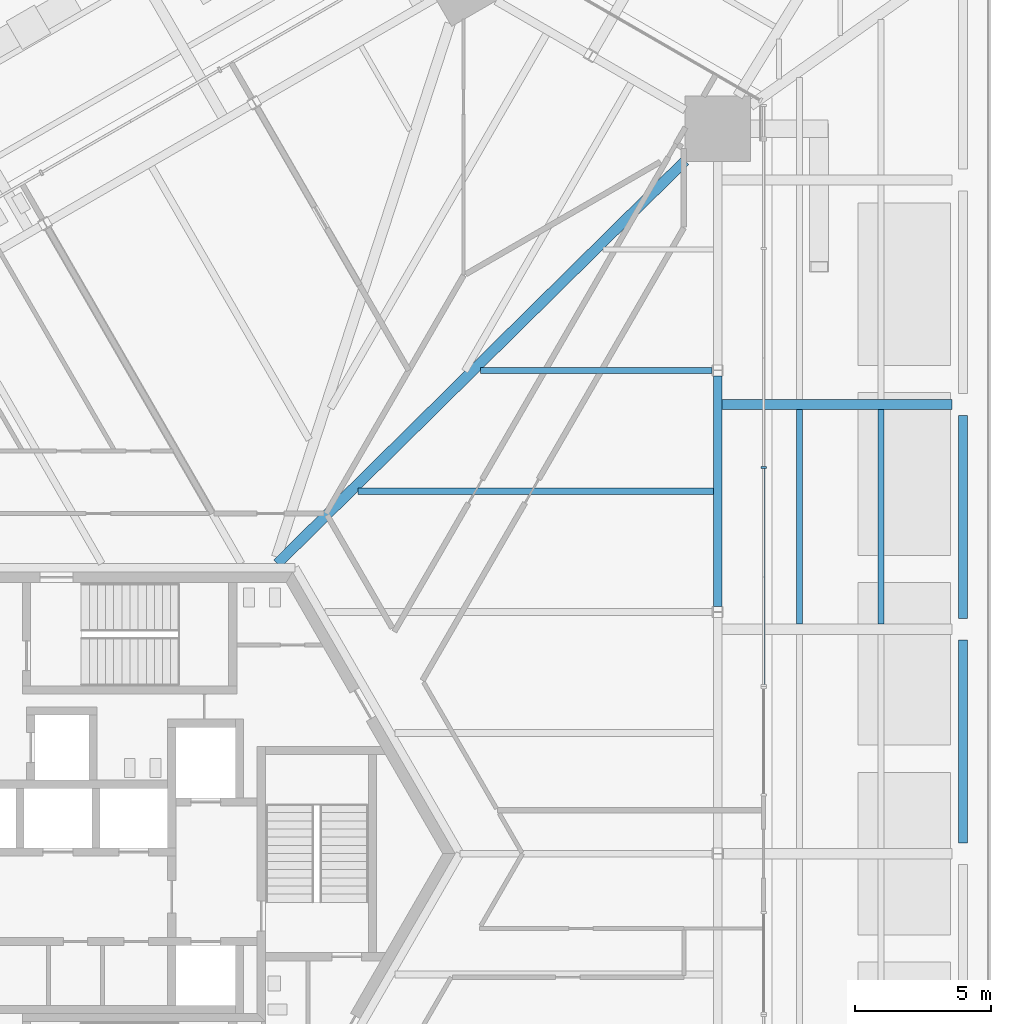
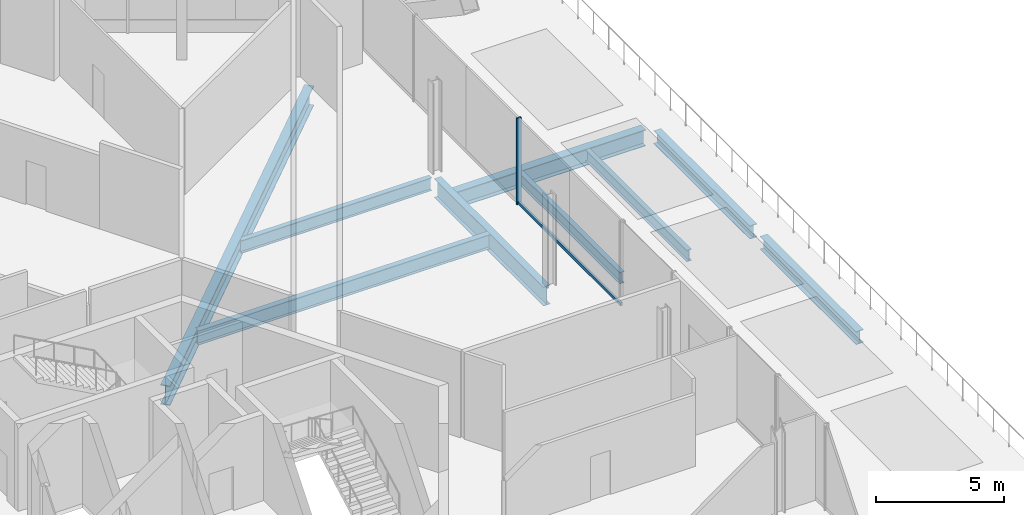
# One storey, part 12 of 38: 9 beams, 2 members, 1 element without a shape of its own.
"""IFC4 building model written with IfcOpenShell, lengths in metres."""

from ifc_helpers import new_model, si_unit, direction, frame, origin, origin_2d, place, context, subcontext, project, spatial, rectangle, i_section, extrude, source, transform, mapped, material, material_profile, profile_set, type_object, element, aggregate, save


model = new_model("IFC4")

# Units and contexts
model_context = context("Model", 3, precision=1e-05, world=origin(), true_north=direction((0.0, 1.0)))
body_context = subcontext(model_context, "Body", "Model", "MODEL_VIEW")
ifc_project = project(units=[si_unit("LENGTHUNIT", "METRE"), si_unit("AREAUNIT", "SQUARE_METRE"), si_unit("VOLUMEUNIT", "CUBIC_METRE"), si_unit("PLANEANGLEUNIT", "RADIAN"), si_unit("MASSUNIT", "GRAM", prefix="KILO")], contexts=[model_context])

# Site, building, storey
site_placement = place(None, origin())
site = spatial("IfcSite", under=ifc_project, at=site_placement, CompositionType="ELEMENT")
building_placement = place(site_placement, origin())
building = spatial("IfcBuilding", under=site, at=building_placement, Name="Triune Harvest Tower", CompositionType="ELEMENT")
storey_placement = place(building_placement, frame((0.0, 0.0, 16.0)))
storey = spatial("IfcBuildingStorey", under=building, at=storey_placement, Name="L03", CompositionType="ELEMENT", Elevation=16.0)

# Curtain wall, member
ifc_material_1 = material(Name="Aluminium bronze anodised", Category="aluminium")
curtain_wall_type = type_object("IfcCurtainWallType", Name="CW-10 Balcony window wall with insulated spandrel infill", PredefinedType="NOTDEFINED", material=ifc_material_1)
curtain_wall_placement = place(storey_placement, origin())
curtain_wall = element("IfcCurtainWall", 1, at=curtain_wall_placement, inside=storey, type_object=curtain_wall_type, Name="CW-10 B1-F1 L03 run 1002")
ifc_material_2 = material(Name="Aluminium bronze anodised", Category="aluminium")
ifc_material_profile_1 = material_profile(ifc_material_2, rectangle(XDim=0.090087890625, YDim=0.14990234375, at=origin_2d()), Name="TR-6 transom 90 x 150")
ifc_profile_set_1 = profile_set([ifc_material_profile_1], Name="Aluminium bronze anodised")
member_type_1 = type_object("IfcMemberType", Name="TR-6 transom 90 x 150", PredefinedType="USERDEFINED", material=ifc_profile_set_1)
member_1_placement = place(storey_placement, frame((23.371337890625, 6.241943359375, 0.074951171875), z_axis=(0.0, 1.0, 0.0), x_axis=(-1.0, 0.0, 0.0)))
member_1 = element("IfcMember", 2, at=member_1_placement, type_object=member_type_1, Name="CW-10 transom B1-F1 1002.1", ObjectType="TRANSOM", PredefinedType="USERDEFINED", context=body_context, shape_type="SweptSolid", body=[
    extrude(rectangle(XDim=0.090087890625, YDim=0.14990234375, at=origin_2d()), origin(), (0.0, 0.0, 1.0), 7.958740234375),
])

# Beams
ifc_material_3 = material(Name="Steel ASTM A992 Gr 50", Category="steel")
ifc_material_profile_2 = material_profile(ifc_material_3, i_section(OverallWidth=0.383544921875, OverallDepth=0.9423828125, WebThickness=0.022216796875, FlangeThickness=0.039794921875, at=origin_2d()), Name="W36x232")
ifc_profile_set_2 = profile_set([ifc_material_profile_2], Name="Steel ASTM A992 Gr 50")
beam_type_1 = type_object("IfcBeamType", Name="HG-1 Hip girder W36x232", PredefinedType="BEAM", material=ifc_profile_set_2)
shared_shape_1 = source(origin(), body_context, "Body", "SweptSolid", [
    extrude(i_section(OverallWidth=0.383544921875, OverallDepth=0.9423828125, WebThickness=0.022216796875, FlangeThickness=0.039794921875, at=origin_2d()), origin(), (0.0, 0.0, 1.0), 21.132568359375),
])
beam_1_placement = place(storey_placement, frame((20.4794921875, 25.545166015625, -0.671142578125), z_axis=(-0.711563602244, -0.7026216905, 0.0), x_axis=(0.7026216905, -0.711563602244, 0.0)))
element("IfcBeam", 3, at=beam_1_placement, inside=storey, type_object=beam_type_1, Name="beam/L03/HG2", PredefinedType="BEAM", context=body_context, shape_type="MappedRepresentation", body=[
    mapped(shared_shape_1, transform((0.0, 0.0, 0.0), scale=1.0)),
])
ifc_material_4 = material(Name="Steel ASTM A992 Gr 50", Category="steel")
ifc_material_profile_3 = material_profile(ifc_material_4, i_section(OverallWidth=0.22900390625, OverallDepth=0.612060546875, WebThickness=0.011962890625, FlangeThickness=0.01953125, at=origin_2d()), Name="W24x84")
ifc_profile_set_3 = profile_set([ifc_material_profile_3], Name="Steel ASTM A992 Gr 50")
beam_type_2 = type_object("IfcBeamType", Name="JT-3 Floor joist W24x84", PredefinedType="JOIST", material=ifc_profile_set_3)
shared_shape_2 = source(origin(), body_context, "Body", "SweptSolid", [
    extrude(i_section(OverallWidth=0.22900390625, OverallDepth=0.612060546875, WebThickness=0.011962890625, FlangeThickness=0.01953125, at=origin_2d()), origin(), (0.0, 0.0, 1.0), 8.54736328125),
])
beam_2_placement = place(storey_placement, frame((21.476318359375, 17.820068359375, -0.506103515625), z_axis=(-1.0, 0.0, 0.0), x_axis=(0.0, -1.0, 0.0)))
element("IfcBeam", 4, at=beam_2_placement, inside=storey, type_object=beam_type_2, Name="beam/L03/JT10", PredefinedType="JOIST", context=body_context, shape_type="MappedRepresentation", body=[
    mapped(shared_shape_2, transform((0.0, 0.0, 0.0), scale=1.0)),
])
ifc_material_5 = material(Name="Steel ASTM A992 Gr 50", Category="steel")
ifc_material_profile_4 = material_profile(ifc_material_5, i_section(OverallWidth=0.32763671875, OverallDepth=0.62744140625, WebThickness=0.0166015625, FlangeThickness=0.027587890625, at=origin_2d()), Name="W24x146")
ifc_profile_set_4 = profile_set([ifc_material_profile_4], Name="Steel ASTM A992 Gr 50")
beam_type_3 = type_object("IfcBeamType", Name="PD-4 Podium edge beam W24x146", PredefinedType="BEAM", material=ifc_profile_set_4)
shared_shape_3 = source(origin(), body_context, "Body", "SweptSolid", [
    extrude(i_section(OverallWidth=0.32763671875, OverallDepth=0.62744140625, WebThickness=0.0166015625, FlangeThickness=0.027587890625, at=origin_2d()), origin(), (0.0, 0.0, 1.0), 7.47998046875),
])
for number, where, z_axis, x_axis, name in (
    (5, (30.715087890625, 0.39990234375, -0.513671875), (0.0, 1.0, 0.0), (-1.0, 0.0, 0.0), "beam/L03/PE6"),
    (6, (30.715087890625, 8.679931640625, -0.513671875), (0.0, 1.0, 0.0), (-1.0, 0.0, 0.0), "beam/L03/PE7"),
):
    element("IfcBeam", number, at=place(storey_placement, frame(where, z_axis=z_axis, x_axis=x_axis)), inside=storey, type_object=beam_type_3, Name=name, PredefinedType="BEAM", context=body_context, shape_type="MappedRepresentation", body=[
        mapped(shared_shape_3, transform((0.0, 0.0, 0.0), scale=1.0)),
    ])
ifc_material_6 = material(Name="Steel ASTM A992 Gr 50", Category="steel")
ifc_material_profile_5 = material_profile(ifc_material_6, i_section(OverallWidth=0.2138671875, OverallDepth=0.548583984375, WebThickness=0.0146484375, FlangeThickness=0.023681640625, at=origin_2d()), Name="W21x93")
ifc_profile_set_5 = profile_set([ifc_material_profile_5], Name="Steel ASTM A992 Gr 50")
beam_type_4 = type_object("IfcBeamType", Name="PD-5 Podium joist W21x93", PredefinedType="JOIST", material=ifc_profile_set_5)
shared_shape_4 = source(origin(), body_context, "Body", "SweptSolid", [
    extrude(i_section(OverallWidth=0.2138671875, OverallDepth=0.548583984375, WebThickness=0.0146484375, FlangeThickness=0.023681640625, at=origin_2d()), origin(), (0.0, 0.0, 1.0), 7.89892578125),
])
for number, where, z_axis, x_axis, name in (
    (7, (27.703125, 8.470458984375, -0.474365234375), (0.0, 1.0, 0.0), (-1.0, 0.0, 0.0), "beam/L03/PJ14"),
    (8, (24.69140625, 8.470458984375, -0.474365234375), (0.0, 1.0, 0.0), (-1.0, 0.0, 0.0), "beam/L03/PJ15"),
):
    element("IfcBeam", number, at=place(storey_placement, frame(where, z_axis=z_axis, x_axis=x_axis)), inside=storey, type_object=beam_type_4, Name=name, PredefinedType="JOIST", context=body_context, shape_type="MappedRepresentation", body=[
        mapped(shared_shape_4, transform((0.0, 0.0, 0.0), scale=1.0)),
    ])
ifc_material_7 = material(Name="Steel ASTM A992 Gr 50", Category="steel")
ifc_material_profile_6 = material_profile(ifc_material_7, i_section(OverallWidth=0.3046875, OverallDepth=0.914306640625, WebThickness=0.0166015625, FlangeThickness=0.02587890625, at=origin_2d()), Name="W36x160")
ifc_profile_set_6 = profile_set([ifc_material_profile_6], Name="Steel ASTM A992 Gr 50")
beam_type_5 = type_object("IfcBeamType", Name="SB-1 Spandrel beam W36x160", PredefinedType="SPANDREL", material=ifc_profile_set_6)
shared_shape_5 = source(origin(), body_context, "Body", "SweptSolid", [
    extrude(i_section(OverallWidth=0.3046875, OverallDepth=0.914306640625, WebThickness=0.0166015625, FlangeThickness=0.02587890625, at=origin_2d()), origin(), (0.0, 0.0, 1.0), 8.50634765625),
])
beam_3_placement = place(storey_placement, frame((21.679443359375, 9.11181640625, -0.6572265625), z_axis=(0.0, 1.0, 0.0), x_axis=(-1.0, 0.0, 0.0)))
element("IfcBeam", 9, at=beam_3_placement, inside=storey, type_object=beam_type_5, Name="beam/L03/SB5", PredefinedType="SPANDREL", context=body_context, shape_type="MappedRepresentation", body=[
    mapped(shared_shape_5, transform((0.0, 0.0, 0.0), scale=1.0)),
])
ifc_material_8 = material(Name="Steel ASTM A992 Gr 50", Category="steel")
ifc_material_profile_7 = material_profile(ifc_material_8, i_section(OverallWidth=0.253662109375, OverallDepth=0.683349609375, WebThickness=0.012451171875, FlangeThickness=0.01904296875, at=origin_2d()), Name="W27x94")
ifc_profile_set_7 = profile_set([ifc_material_profile_7], Name="Steel ASTM A992 Gr 50")
beam_type_6 = type_object("IfcBeamType", Name="JT-4 Floor joist W27x94", PredefinedType="JOIST", material=ifc_profile_set_7)
shared_shape_6 = source(origin(), body_context, "Body", "SweptSolid", [
    extrude(i_section(OverallWidth=0.253662109375, OverallDepth=0.683349609375, WebThickness=0.012451171875, FlangeThickness=0.01904296875, at=origin_2d()), origin(), (0.0, 0.0, 1.0), 13.110107421875),
])
beam_4_placement = place(storey_placement, frame((21.527099609375, 13.364990234375, -0.54150390625), z_axis=(-1.0, 0.0, 0.0), x_axis=(0.0, -1.0, 0.0)))
element("IfcBeam", 10, at=beam_4_placement, inside=storey, type_object=beam_type_6, Name="beam/L03/JT9", PredefinedType="JOIST", context=body_context, shape_type="MappedRepresentation", body=[
    mapped(shared_shape_6, transform((0.0, 0.0, 0.0), scale=1.0)),
])
ifc_material_9 = material(Name="Steel ASTM A992 Gr 50", Category="steel")
ifc_material_profile_8 = material_profile(ifc_material_9, i_section(OverallWidth=0.381103515625, OverallDepth=0.772216796875, WebThickness=0.0166015625, FlangeThickness=0.027099609375, at=origin_2d()), Name="W30x173")
ifc_profile_set_8 = profile_set([ifc_material_profile_8], Name="Steel ASTM A992 Gr 50")
beam_type_7 = type_object("IfcBeamType", Name="PD-3 Podium girder W30x173", PredefinedType="BEAM", material=ifc_profile_set_8)
shared_shape_7 = source(origin(), body_context, "Body", "SweptSolid", [
    extrude(i_section(OverallWidth=0.381103515625, OverallDepth=0.772216796875, WebThickness=0.0166015625, FlangeThickness=0.027099609375, at=origin_2d()), origin(), (0.0, 0.0, 1.0), 8.4833984375),
])
beam_5_placement = place(storey_placement, frame((30.315185546875, 16.56005859375, -0.586181640625), z_axis=(-1.0, 0.0, 0.0), x_axis=(0.0, -1.0, 0.0)))
element("IfcBeam", 11, at=beam_5_placement, inside=storey, type_object=beam_type_7, Name="beam/L03/PR9", PredefinedType="BEAM", context=body_context, shape_type="MappedRepresentation", body=[
    mapped(shared_shape_7, transform((0.0, 0.0, 0.0), scale=1.0)),
])

# Member
ifc_material_10 = material(Name="Aluminium bronze anodised", Category="aluminium")
ifc_material_profile_9 = material_profile(ifc_material_10, rectangle(XDim=0.199951171875, YDim=0.074951171875, at=origin_2d()), Name="MU-6 mullion 75 x 200")
ifc_profile_set_9 = profile_set([ifc_material_profile_9], Name="Aluminium bronze anodised")
member_type_2 = type_object("IfcMemberType", Name="MU-6 mullion 75 x 200", PredefinedType="MULLION", material=ifc_profile_set_9)
shared_shape_8 = source(origin(), body_context, "Body", "SweptSolid", [
    extrude(rectangle(XDim=0.199951171875, YDim=0.074951171875, at=origin_2d()), origin(), (0.0, 0.0, 1.0), 4.10009765625),
])
member_2_placement = place(storey_placement, frame((23.371337890625, 14.238037109375, 0.0), z_axis=(0.0, 0.0, 1.0), x_axis=(-1.0, 0.0, 0.0)))
member_2 = element("IfcMember", 12, at=member_2_placement, type_object=member_type_2, Name="CW-10 mullion B1-F1 1002.3", PredefinedType="MULLION", context=body_context, shape_type="MappedRepresentation", body=[
    mapped(shared_shape_8, transform((0.0, 0.0, 0.0), scale=1.0)),
])

aggregate(curtain_wall, [member_2, member_1])

save(model, "model.ifc")
